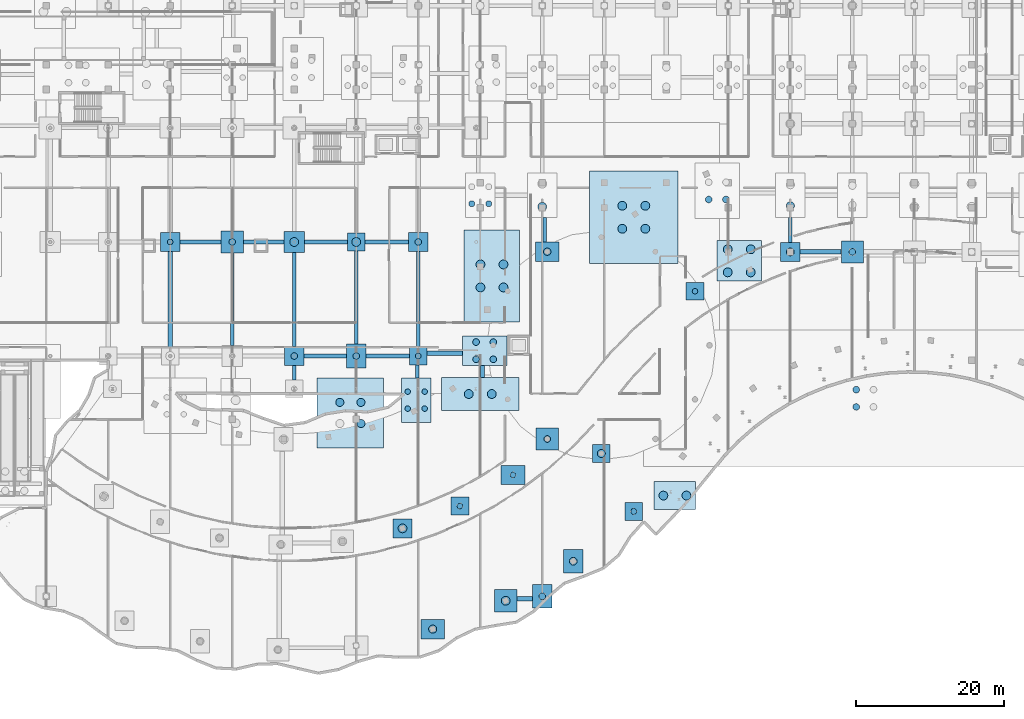
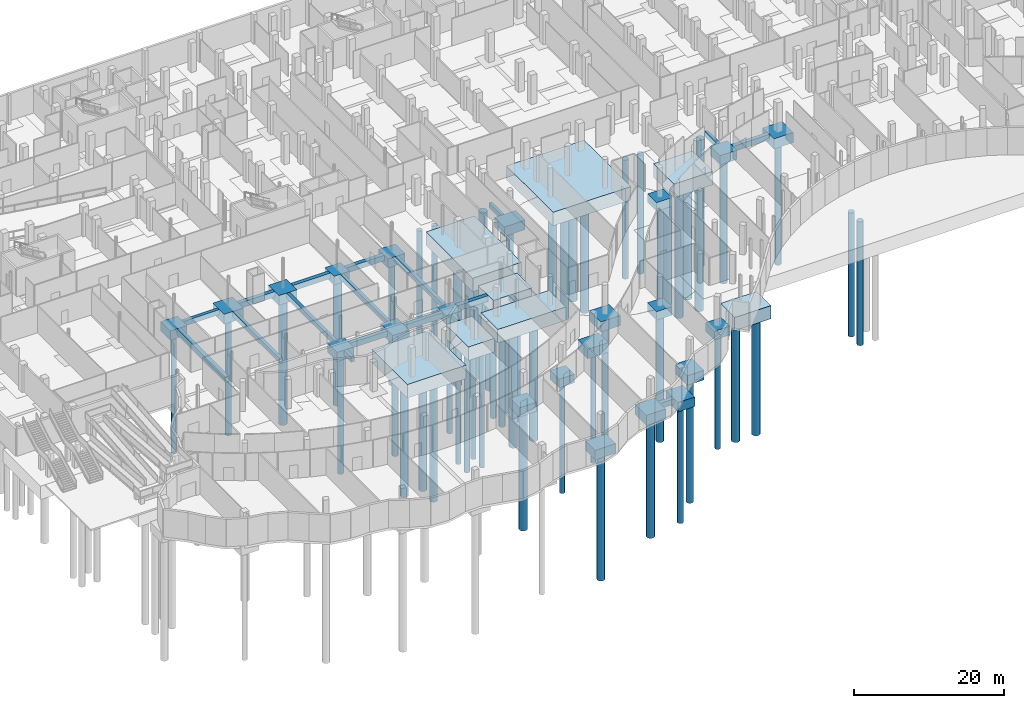
# One storey, part 2 of 45: 57 piles, 49 footings.
"""IFC4 building model written with IfcOpenShell, lengths in metres."""

from ifc_helpers import new_model, si_unit, direction, frame, origin, origin_2d, place, context, subcontext, project, spatial, rectangle, circle, extrude, material, material_profile, profile_set, type_object, element, save


model = new_model("IFC4")

# Units and contexts
model_context = context("Model", 3, precision=1e-05, world=origin(), true_north=direction((0.0, 1.0)))
body_context = subcontext(model_context, "Body", "Model", "MODEL_VIEW")
ifc_project = project(units=[si_unit("LENGTHUNIT", "METRE"), si_unit("AREAUNIT", "SQUARE_METRE"), si_unit("VOLUMEUNIT", "CUBIC_METRE"), si_unit("PLANEANGLEUNIT", "RADIAN"), si_unit("MASSUNIT", "GRAM", prefix="KILO")], contexts=[model_context])

# Site, building, storey
site_placement = place(None, origin())
site = spatial("IfcSite", under=ifc_project, at=site_placement, CompositionType="ELEMENT")
building_placement = place(site_placement, origin())
building = spatial("IfcBuilding", under=site, at=building_placement, Name="Selatvlak General Hospital", CompositionType="ELEMENT")
storey_placement = place(building_placement, frame((0.0, 0.0, -4.800048828125)))
storey = spatial("IfcBuildingStorey", under=building, at=storey_placement, Name="B1", CompositionType="ELEMENT", Elevation=-4.800048828125)

# Footings
ifc_material_1 = material(Name="Concrete C40/50", Category="concrete")
footing_type_1 = type_object("IfcFootingType", Name="FTG-PC-01", PredefinedType="PILE_CAP", material=ifc_material_1)
for number, where, z_axis, x_axis, name in (
    (1, (64.800048828125, 68.0, -1.39990234375), (0.0, 0.0, 1.0), (1.0, 0.0, 0.0), "Pile cap CAP-072"),
    (2, (73.199951171875, 52.550048828125, -1.39990234375), (0.0, 0.0, 1.0), (1.0, 0.0, 0.0), "Pile cap CAP-084"),
    (3, (78.842041015625, 32.22998046875, -1.39990234375), (0.0, 0.0, 1.0), (1.0, 0.0, 0.0), "Pile cap CAP-090"),
    (4, (98.0, 39.35009765625, -1.39990234375), (0.0, 0.0, 1.0), (1.0, 0.0, 0.0), "Pile cap CAP-108"),
    (5, (102.383056640625, 31.4970703125, -1.39990234375), (0.0, 0.0, 1.0), (1.0, 0.0, 0.0), "Pile cap CAP-114"),
    (6, (110.68701171875, 61.324951171875, -1.39990234375), (0.0, 0.0, 1.0), (1.0, 0.0, 0.0), "Pile cap CAP-120"),
):
    element("IfcFooting", number, at=place(storey_placement, frame(where, z_axis=z_axis, x_axis=x_axis)), inside=storey, type_object=footing_type_1, Name=name, PredefinedType="PILE_CAP", context=body_context, shape_type="SweptSolid", body=[
        extrude(rectangle(XDim=2.39990234375, YDim=2.39990234375, at=origin_2d()), origin(), (0.0, 0.0, 1.0), 1.39990234375),
    ])
footing_type_2 = type_object("IfcFootingType", Name="FTG-PC-02", PredefinedType="PILE_CAP", material=ifc_material_1)
for number, where, z_axis, x_axis, name in (
    (7, (39.60009765625, 68.0, -1.5), (0.0, 0.0, 1.0), (1.0, 0.0, 0.0), "Pile cap CAP-043"),
    (8, (56.39990234375, 52.550048828125, -1.5), (0.0, 0.0, 1.0), (1.0, 0.0, 0.0), "Pile cap CAP-061"),
    (9, (71.06689453125, 29.208984375, -1.5), (0.0, 0.0, 1.0), (1.0, 0.0, 0.0), "Pile cap CAP-079"),
    (10, (73.199951171875, 68.0, -1.5), (0.0, 0.0, 1.0), (1.0, 0.0, 0.0), "Pile cap CAP-085"),
    (11, (123.60009765625, 66.64990234375, -1.5), (0.0, 0.0, 1.0), (1.0, 0.0, 0.0), "Pile cap CAP-127"),
):
    element("IfcFooting", number, at=place(storey_placement, frame(where, z_axis=z_axis, x_axis=x_axis)), inside=storey, type_object=footing_type_2, Name=name, PredefinedType="PILE_CAP", context=body_context, shape_type="SweptSolid", body=[
        extrude(rectangle(XDim=2.60009765625, YDim=2.60009765625, at=origin_2d()), origin(), (0.0, 0.0, 1.0), 1.5),
    ])
footing_type_3 = type_object("IfcFootingType", Name="FTG-PC-03", PredefinedType="PILE_CAP", material=ifc_material_1)
footing_1_placement = place(storey_placement, frame((56.39990234375, 68.0, -1.60009765625), z_axis=(0.0, 0.0, 1.0), x_axis=(1.0, 0.0, 0.0)))
element("IfcFooting", 12, at=footing_1_placement, inside=storey, type_object=footing_type_3, Name="Pile cap CAP-062", PredefinedType="PILE_CAP", context=body_context, shape_type="SweptSolid", body=[
    extrude(rectangle(XDim=2.800048828125, YDim=2.800048828125, at=origin_2d()), origin(), (0.0, 0.0, 1.0), 1.60009765625),
])
footing_type_4 = type_object("IfcFootingType", Name="FTG-PC-04", PredefinedType="PILE_CAP", material=ifc_material_1)
for number, where, z_axis, x_axis, name in (
    (13, (48.0, 68.0, -1.64990234375), (0.0, 0.0, 1.0), (1.0, 0.0, 0.0), "Pile cap CAP-051"),
    (14, (85.0439453125, 19.39990234375, -1.64990234375), (0.0, 0.0, 1.0), (1.0, 0.0, 0.0), "Pile cap CAP-099"),
    (15, (90.675048828125, 41.31298828125, -1.64990234375), (0.0, 0.0, 1.0), (1.0, 0.0, 0.0), "Pile cap CAP-105"),
    (16, (132.0, 66.64990234375, -1.64990234375), (0.0, 0.0, 1.0), (1.0, 0.0, 0.0), "Pile cap CAP-135"),
):
    element("IfcFooting", number, at=place(storey_placement, frame(where, z_axis=z_axis, x_axis=x_axis)), inside=storey, type_object=footing_type_4, Name=name, PredefinedType="PILE_CAP", context=body_context, shape_type="SweptSolid", body=[
        extrude(rectangle(XDim=3.0, YDim=3.0, at=origin_2d()), origin(), (0.0, 0.0, 1.0), 1.64990234375),
    ])
footing_type_5 = type_object("IfcFootingType", Name="FTG-PC-05", PredefinedType="PILE_CAP", material=ifc_material_1)
for number, where, z_axis, x_axis, name in (
    (17, (75.155029296875, 15.556884765625, -1.5498046875), (0.0, 0.0, 1.0), (1.0, 0.0, 0.0), "Pile cap CAP-088"),
    (18, (86.041015625, 36.444091796875, -1.5498046875), (0.0, 0.0, 1.0), (1.0, 0.0, 0.0), "Pile cap CAP-100"),
    (19, (90.675048828125, 66.68701171875, -1.5498046875), (0.0, 0.0, 1.0), (1.0, 0.0, 0.0), "Pile cap CAP-106"),
):
    element("IfcFooting", number, at=place(storey_placement, frame(where, z_axis=z_axis, x_axis=x_axis)), inside=storey, type_object=footing_type_5, Name=name, PredefinedType="PILE_CAP", context=body_context, shape_type="SweptSolid", body=[
        extrude(rectangle(XDim=3.199951171875, YDim=2.60009765625, at=origin_2d()), origin(), (0.0, 0.0, 1.0), 1.550048828125),
    ])
footing_type_6 = type_object("IfcFootingType", Name="FTG-PC-06", PredefinedType="PILE_CAP", material=ifc_material_1)
for number, where, z_axis, x_axis, name in (
    (20, (64.800048828125, 52.550048828125, -1.5498046875), (0.0, 0.0, 1.0), (1.0, 0.0, 0.0), "Pile cap CAP-071"),
    (21, (90.0, 20.0, -1.5498046875), (0.0, 0.0, 1.0), (1.0, 0.0, 0.0), "Pile cap CAP-101"),
    (22, (94.195068359375, 24.757080078125, -1.5498046875), (0.0, 0.0, 1.0), (1.0, 0.0, 0.0), "Pile cap CAP-107"),
):
    element("IfcFooting", number, at=place(storey_placement, frame(where, z_axis=z_axis, x_axis=x_axis)), inside=storey, type_object=footing_type_6, Name=name, PredefinedType="PILE_CAP", context=body_context, shape_type="SweptSolid", body=[
        extrude(rectangle(XDim=2.60009765625, YDim=3.199951171875, at=origin_2d()), origin(), (0.0, 0.0, 1.0), 1.550048828125),
    ])
footing_type_7 = type_object("IfcFootingType", Name="FTG-PC-18", PredefinedType="PILE_CAP", material=ifc_material_1)
footing_2_placement = place(storey_placement, frame((107.9619140625, 33.64697265625, -2.14990234375), z_axis=(0.0, 0.0, 1.0), x_axis=(1.0, 0.0, 0.0)))
element("IfcFooting", 23, at=footing_2_placement, inside=storey, type_object=footing_type_7, Name="Pile cap CAP-119", PredefinedType="PILE_CAP", context=body_context, shape_type="SweptSolid", body=[
    extrude(rectangle(XDim=5.60009765625, YDim=3.800048828125, at=origin_2d()), origin(), (0.0, 0.0, 1.0), 2.14990234375),
])
footing_type_8 = type_object("IfcFootingType", Name="FTG-PC-19", PredefinedType="PILE_CAP", material=ifc_material_1)
footing_3_placement = place(storey_placement, frame((82.199951171875, 53.27490234375, -2.19970703125), z_axis=(0.0, 0.0, 1.0), x_axis=(1.0, 0.0, 0.0)))
element("IfcFooting", 24, at=footing_3_placement, inside=storey, type_object=footing_type_8, Name="Pile cap CAP-091", PredefinedType="PILE_CAP", context=body_context, shape_type="SweptSolid", body=[
    extrude(rectangle(XDim=6.0, YDim=4.0, at=origin_2d()), origin(), (0.0, 0.0, 1.0), 2.199951171875),
])
footing_type_9 = type_object("IfcFootingType", Name="FTG-PC-20", PredefinedType="PILE_CAP", material=ifc_material_1)
footing_4_placement = place(storey_placement, frame((72.919921875, 46.580078125, -2.19970703125), z_axis=(0.0, 0.0, 1.0), x_axis=(1.0, 0.0, 0.0)))
element("IfcFooting", 25, at=footing_4_placement, inside=storey, type_object=footing_type_9, Name="Pile cap CAP-083", PredefinedType="PILE_CAP", context=body_context, shape_type="SweptSolid", body=[
    extrude(rectangle(XDim=4.0, YDim=6.0, at=origin_2d()), origin(), (0.0, 0.0, 1.0), 2.199951171875),
])
footing_type_10 = type_object("IfcFootingType", Name="FTG-PC-M109", PredefinedType="PILE_CAP", material=ifc_material_1)
footing_5_placement = place(storey_placement, frame((102.39990234375, 71.343994140625, -2.19970703125), z_axis=(0.0, 0.0, 1.0), x_axis=(1.0, 0.0, 0.0)))
element("IfcFooting", 26, at=footing_5_placement, inside=storey, type_object=footing_type_10, Name="Pile cap CAP-109", PredefinedType="PILE_CAP", context=body_context, shape_type="SweptSolid", body=[
    extrude(rectangle(XDim=12.0, YDim=12.5, at=origin_2d()), origin(), (0.0, 0.0, 1.0), 2.199951171875),
])
footing_type_11 = type_object("IfcFootingType", Name="FTG-PC-M122", PredefinedType="PILE_CAP", material=ifc_material_1)
footing_6_placement = place(storey_placement, frame((116.677001953125, 65.444091796875, -2.19970703125), z_axis=(0.0, 0.0, 1.0), x_axis=(1.0, 0.0, 0.0)))
element("IfcFooting", 27, at=footing_6_placement, inside=storey, type_object=footing_type_11, Name="Pile cap CAP-122", PredefinedType="PILE_CAP", context=body_context, shape_type="SweptSolid", body=[
    extrude(rectangle(XDim=6.0, YDim=5.5, at=origin_2d()), origin(), (0.0, 0.0, 1.0), 2.199951171875),
])
footing_type_12 = type_object("IfcFootingType", Name="FTG-PC-M68", PredefinedType="PILE_CAP", material=ifc_material_1)
footing_7_placement = place(storey_placement, frame((64.007080078125, 44.841064453125, -2.19970703125), z_axis=(0.0, 0.0, 1.0), x_axis=(1.0, 0.0, 0.0)))
element("IfcFooting", 28, at=footing_7_placement, inside=storey, type_object=footing_type_12, Name="Pile cap CAP-068", PredefinedType="PILE_CAP", context=body_context, shape_type="SweptSolid", body=[
    extrude(rectangle(XDim=9.0, YDim=9.5, at=origin_2d()), origin(), (0.0, 0.0, 1.0), 2.199951171875),
])
footing_type_13 = type_object("IfcFootingType", Name="FTG-PC-M89", PredefinedType="PILE_CAP", material=ifc_material_1)
footing_8_placement = place(storey_placement, frame((81.60009765625, 47.403076171875, -2.19970703125), z_axis=(0.0, 0.0, 1.0), x_axis=(1.0, 0.0, 0.0)))
element("IfcFooting", 29, at=footing_8_placement, inside=storey, type_object=footing_type_13, Name="Pile cap CAP-089", PredefinedType="PILE_CAP", context=body_context, shape_type="SweptSolid", body=[
    extrude(rectangle(XDim=10.5, YDim=4.5, at=origin_2d()), origin(), (0.0, 0.0, 1.0), 2.199951171875),
])
footing_type_14 = type_object("IfcFootingType", Name="FTG-PC-M92", PredefinedType="PILE_CAP", material=ifc_material_1)
footing_9_placement = place(storey_placement, frame((83.180908203125, 63.39990234375, -2.19970703125), z_axis=(0.0, 0.0, 1.0), x_axis=(1.0, 0.0, 0.0)))
element("IfcFooting", 30, at=footing_9_placement, inside=storey, type_object=footing_type_14, Name="Pile cap CAP-092", PredefinedType="PILE_CAP", context=body_context, shape_type="SweptSolid", body=[
    extrude(rectangle(XDim=7.5, YDim=12.5, at=origin_2d()), origin(), (0.0, 0.0, 1.0), 2.199951171875),
])
ifc_material_2 = material(Name="Concrete C35/45", Category="concrete")
footing_type_15 = type_object("IfcFootingType", Name="FTG-TB-24", PredefinedType="FOOTING_BEAM", material=ifc_material_2)
footing_10_placement = place(storey_placement, frame((127.699951171875, 66.64990234375, -0.89990234375), z_axis=(0.0, 0.0, 1.0), x_axis=(1.0, 0.0, 0.0)))
element("IfcFooting", 31, at=footing_10_placement, inside=storey, type_object=footing_type_15, Name="Foundation tie beam TBF-129", PredefinedType="FOOTING_BEAM", context=body_context, shape_type="SweptSolid", body=[
    extrude(rectangle(XDim=5.580078125, YDim=0.60009765625, at=origin_2d()), origin(), (0.0, 0.0, 1.0), 0.89990234375),
])
footing_type_16 = type_object("IfcFootingType", Name="FTG-TB-32", PredefinedType="FOOTING_BEAM", material=ifc_material_2)
footing_11_placement = place(storey_placement, frame((39.60009765625, 60.22509765625, -0.89990234375), z_axis=(0.0, 0.0, 1.0), x_axis=(0.0, 1.0, 0.0)))
element("IfcFooting", 32, at=footing_11_placement, inside=storey, type_object=footing_type_16, Name="Foundation tie beam TBF-047", PredefinedType="FOOTING_BEAM", context=body_context, shape_type="SweptSolid", body=[
    extrude(rectangle(XDim=12.929931640625, YDim=0.60009765625, at=origin_2d()), origin(), (0.0, 0.0, 1.0), 0.89990234375),
])
footing_type_17 = type_object("IfcFootingType", Name="FTG-TB-34", PredefinedType="FOOTING_BEAM", material=ifc_material_2)
footing_12_placement = place(storey_placement, frame((43.699951171875, 68.0, -0.7998046875), z_axis=(0.0, 0.0, 1.0), x_axis=(1.0, 0.0, 0.0)))
element("IfcFooting", 33, at=footing_12_placement, inside=storey, type_object=footing_type_17, Name="Foundation tie beam TBF-048", PredefinedType="FOOTING_BEAM", context=body_context, shape_type="SweptSolid", body=[
    extrude(rectangle(XDim=5.580078125, YDim=0.5, at=origin_2d()), origin(), (0.0, 0.0, 1.0), 0.800048828125),
])
footing_type_18 = type_object("IfcFootingType", Name="FTG-TB-44", PredefinedType="FOOTING_BEAM", material=ifc_material_2)
footing_13_placement = place(storey_placement, frame((48.0, 60.22509765625, -0.7998046875), z_axis=(0.0, 0.0, 1.0), x_axis=(0.0, 1.0, 0.0)))
element("IfcFooting", 34, at=footing_13_placement, inside=storey, type_object=footing_type_18, Name="Foundation tie beam TBF-054", PredefinedType="FOOTING_BEAM", context=body_context, shape_type="SweptSolid", body=[
    extrude(rectangle(XDim=12.530029296875, YDim=0.5, at=origin_2d()), origin(), (0.0, 0.0, 1.0), 0.800048828125),
])
footing_type_19 = type_object("IfcFootingType", Name="FTG-TB-45", PredefinedType="FOOTING_BEAM", material=ifc_material_2)
footing_14_placement = place(storey_placement, frame((52.25, 68.0, -0.89990234375), z_axis=(0.0, 0.0, 1.0), x_axis=(1.0, 0.0, 0.0)))
element("IfcFooting", 35, at=footing_14_placement, inside=storey, type_object=footing_type_19, Name="Foundation tie beam TBF-055", PredefinedType="FOOTING_BEAM", context=body_context, shape_type="SweptSolid", body=[
    extrude(rectangle(XDim=5.47998046875, YDim=0.60009765625, at=origin_2d()), origin(), (0.0, 0.0, 1.0), 0.89990234375),
])
footing_type_20 = type_object("IfcFootingType", Name="FTG-TB-46", PredefinedType="FOOTING_BEAM", material=ifc_material_2)
footing_15_placement = place(storey_placement, frame((64.800048828125, 60.47509765625, -0.7998046875), z_axis=(0.0, 0.0, 1.0), x_axis=(0.0, 1.0, 0.0)))
element("IfcFooting", 36, at=footing_15_placement, inside=storey, type_object=footing_type_20, Name="Foundation tie beam TBF-080", PredefinedType="FOOTING_BEAM", context=body_context, shape_type="SweptSolid", body=[
    extrude(rectangle(XDim=12.6298828125, YDim=0.5, at=origin_2d()), origin(), (0.0, 0.0, 1.0), 0.800048828125),
])
footing_type_21 = type_object("IfcFootingType", Name="FTG-TB-51", PredefinedType="FOOTING_BEAM", material=ifc_material_2)
for number, where, z_axis, x_axis, name in (
    (37, (69.050048828125, 52.550048828125, -0.89990234375), (0.0, 0.0, 1.0), (1.0, 0.0, 0.0), "Foundation tie beam TBF-079"),
    (38, (68.949951171875, 68.0, -0.89990234375), (0.0, 0.0, 1.0), (1.0, 0.0, 0.0), "Foundation tie beam TBF-081"),
):
    element("IfcFooting", number, at=place(storey_placement, frame(where, z_axis=z_axis, x_axis=x_axis)), inside=storey, type_object=footing_type_21, Name=name, PredefinedType="FOOTING_BEAM", context=body_context, shape_type="SweptSolid", body=[
        extrude(rectangle(XDim=5.8798828125, YDim=0.60009765625, at=origin_2d()), origin(), (0.0, 0.0, 1.0), 0.89990234375),
    ])
footing_type_22 = type_object("IfcFootingType", Name="FTG-TB-59", PredefinedType="FOOTING_BEAM", material=ifc_material_2)
footing_16_placement = place(storey_placement, frame((56.39990234375, 50.27490234375, -0.7998046875), z_axis=(0.0, 0.0, 1.0), x_axis=(0.0, 1.0, 0.0)))
element("IfcFooting", 39, at=footing_16_placement, inside=storey, type_object=footing_type_22, Name="Foundation tie beam TBF-070", PredefinedType="FOOTING_BEAM", context=body_context, shape_type="SweptSolid", body=[
    extrude(rectangle(XDim=1.929931640625, YDim=0.5, at=origin_2d()), origin(), (0.0, 0.0, 1.0), 0.800048828125),
])
footing_type_23 = type_object("IfcFootingType", Name="FTG-TB-60", PredefinedType="FOOTING_BEAM", material=ifc_material_2)
for number, where, z_axis, x_axis, name in (
    (40, (60.60009765625, 52.550048828125, -0.89990234375), (0.0, 0.0, 1.0), (1.0, 0.0, 0.0), "Foundation tie beam TBF-071"),
    (41, (60.699951171875, 68.0, -0.89990234375), (0.0, 0.0, 1.0), (1.0, 0.0, 0.0), "Foundation tie beam TBF-073"),
):
    element("IfcFooting", number, at=place(storey_placement, frame(where, z_axis=z_axis, x_axis=x_axis)), inside=storey, type_object=footing_type_23, Name=name, PredefinedType="FOOTING_BEAM", context=body_context, shape_type="SweptSolid", body=[
        extrude(rectangle(XDim=5.780029296875, YDim=0.60009765625, at=origin_2d()), origin(), (0.0, 0.0, 1.0), 0.89990234375),
    ])
footing_type_24 = type_object("IfcFootingType", Name="FTG-TB-61", PredefinedType="FOOTING_BEAM", material=ifc_material_2)
footing_17_placement = place(storey_placement, frame((56.39990234375, 60.22509765625, -0.7998046875), z_axis=(0.0, 0.0, 1.0), x_axis=(0.0, 1.0, 0.0)))
element("IfcFooting", 42, at=footing_17_placement, inside=storey, type_object=footing_type_24, Name="Foundation tie beam TBF-072", PredefinedType="FOOTING_BEAM", context=body_context, shape_type="SweptSolid", body=[
    extrude(rectangle(XDim=12.72998046875, YDim=0.5, at=origin_2d()), origin(), (0.0, 0.0, 1.0), 0.800048828125),
])
footing_type_25 = type_object("IfcFootingType", Name="FTG-TB-64", PredefinedType="FOOTING_BEAM", material=ifc_material_2)
footing_18_placement = place(storey_placement, frame((73.199951171875, 60.22509765625, -0.7998046875), z_axis=(0.0, 0.0, 1.0), x_axis=(0.0, 1.0, 0.0)))
element("IfcFooting", 43, at=footing_18_placement, inside=storey, type_object=footing_type_25, Name="Foundation tie beam TBF-096", PredefinedType="FOOTING_BEAM", context=body_context, shape_type="SweptSolid", body=[
    extrude(rectangle(XDim=12.929931640625, YDim=0.5, at=origin_2d()), origin(), (0.0, 0.0, 1.0), 0.800048828125),
])
footing_type_26 = type_object("IfcFootingType", Name="FTG-TB-72", PredefinedType="FOOTING_BEAM", material=ifc_material_2)
footing_19_placement = place(storey_placement, frame((73.06005859375, 50.465087890625, -0.7998046875), z_axis=(0.0, 0.0, 1.0), x_axis=(0.0, 1.0, 0.0)))
element("IfcFooting", 44, at=footing_19_placement, inside=storey, type_object=footing_type_26, Name="Foundation tie beam TBF-094", PredefinedType="FOOTING_BEAM", context=body_context, shape_type="SweptSolid", body=[
    extrude(rectangle(XDim=1.75, YDim=0.5, at=origin_2d()), origin(), (0.0, 0.0, 1.0), 0.800048828125),
])
footing_type_27 = type_object("IfcFootingType", Name="FTG-TB-73", PredefinedType="FOOTING_BEAM", material=ifc_material_2)
footing_20_placement = place(storey_placement, frame((76.800048828125, 52.912109375, -0.89990234375), z_axis=(0.0, 0.0, 1.0), x_axis=(1.0, 0.0, 0.0)))
element("IfcFooting", 45, at=footing_20_placement, inside=storey, type_object=footing_type_27, Name="Foundation tie beam TBF-095", PredefinedType="FOOTING_BEAM", context=body_context, shape_type="SweptSolid", body=[
    extrude(rectangle(XDim=4.780029296875, YDim=0.60009765625, at=origin_2d()), origin(), (0.0, 0.0, 1.0), 0.89990234375),
])
footing_type_28 = type_object("IfcFootingType", Name="FTG-TB-74", PredefinedType="FOOTING_BEAM", material=ifc_material_2)
footing_21_placement = place(storey_placement, frame((81.89990234375, 50.464111328125, -0.7998046875), z_axis=(0.0, 0.0, 1.0), x_axis=(0.0, 1.0, 0.0)))
element("IfcFooting", 46, at=footing_21_placement, inside=storey, type_object=footing_type_28, Name="Foundation tie beam TBF-100", PredefinedType="FOOTING_BEAM", context=body_context, shape_type="SweptSolid", body=[
    extrude(rectangle(XDim=1.60205078125, YDim=0.5, at=origin_2d()), origin(), (0.0, 0.0, 1.0), 0.800048828125),
])
footing_type_29 = type_object("IfcFootingType", Name="FTG-TB-77", PredefinedType="FOOTING_BEAM", material=ifc_material_2)
footing_22_placement = place(storey_placement, frame((87.6220703125, 19.699951171875, -0.89990234375), z_axis=(0.0, 0.0, 1.0), x_axis=(1.0, 0.0, 0.0)))
element("IfcFooting", 47, at=footing_22_placement, inside=storey, type_object=footing_type_29, Name="Foundation tie beam TBF-107", PredefinedType="FOOTING_BEAM", context=body_context, shape_type="SweptSolid", body=[
    extrude(rectangle(XDim=2.135986328125, YDim=0.60009765625, at=origin_2d()), origin(), (0.0, 0.0, 1.0), 0.89990234375),
])
footing_type_30 = type_object("IfcFootingType", Name="FTG-TB-80", PredefinedType="FOOTING_BEAM", material=ifc_material_2)
footing_23_placement = place(storey_placement, frame((90.337890625, 69.656005859375, -0.7998046875), z_axis=(0.0, 0.0, 1.0), x_axis=(0.0, 1.0, 0.0)))
element("IfcFooting", 48, at=footing_23_placement, inside=storey, type_object=footing_type_30, Name="Foundation tie beam TBF-112", PredefinedType="FOOTING_BEAM", context=body_context, shape_type="SweptSolid", body=[
    extrude(rectangle(XDim=3.318115234375, YDim=0.5, at=origin_2d()), origin(), (0.0, 0.0, 1.0), 0.800048828125),
])
footing_type_31 = type_object("IfcFootingType", Name="FTG-TB-87", PredefinedType="FOOTING_BEAM", material=ifc_material_2)
footing_24_placement = place(storey_placement, frame((123.60009765625, 69.637939453125, -0.7998046875), z_axis=(0.0, 0.0, 1.0), x_axis=(0.0, 1.0, 0.0)))
element("IfcFooting", 49, at=footing_24_placement, inside=storey, type_object=footing_type_31, Name="Foundation tie beam TBF-130", PredefinedType="FOOTING_BEAM", context=body_context, shape_type="SweptSolid", body=[
    extrude(rectangle(XDim=3.35498046875, YDim=0.5, at=origin_2d()), origin(), (0.0, 0.0, 1.0), 0.800048828125),
])

# Piles
ifc_material_profile_1 = material_profile(ifc_material_1, circle(Radius=0.375, at=origin_2d()), Name="BORED PILE 750")
ifc_profile_set_1 = profile_set([ifc_material_profile_1], Name="Concrete C40/50")
pile_type_1 = type_object("IfcPileType", Name="PILE-BP-01", PredefinedType="BORED", material=ifc_profile_set_1)
for number, where, z_axis, x_axis, name in (
    (50, (78.842041015625, 32.22998046875, -1.300048828125), (0.0, 0.0, -1.0), (1.0, 0.0, 0.0), "Bored pile PLF-0164"),
    (51, (86.041015625, 36.444091796875, -1.449951171875), (0.0, 0.0, -1.0), (1.0, 0.0, 0.0), "Bored pile PLF-0192"),
    (52, (110.68701171875, 61.324951171875, -1.300048828125), (0.0, 0.0, -1.0), (1.0, 0.0, 0.0), "Bored pile PLF-0229"),
):
    element("IfcPile", number, at=place(storey_placement, frame(where, z_axis=z_axis, x_axis=x_axis)), inside=storey, type_object=pile_type_1, Name=name, PredefinedType="BORED", context=body_context, shape_type="SweptSolid", body=[
        extrude(circle(Radius=0.375, at=origin_2d()), origin(), (0.0, 0.0, 1.0), 18.199951171875),
    ])
ifc_material_profile_2 = material_profile(ifc_material_1, circle(Radius=0.449951171875, at=origin_2d()), Name="BORED PILE 900")
ifc_profile_set_2 = profile_set([ifc_material_profile_2], Name="Concrete C40/50")
pile_type_2 = type_object("IfcPileType", Name="PILE-BP-02", PredefinedType="BORED", material=ifc_profile_set_2)
for number, where, z_axis, x_axis, name in (
    (53, (48.0, 68.0, -1.550048828125), (0.0, 0.0, -1.0), (1.0, 0.0, 0.0), "Bored pile PLF-0095"),
    (54, (56.39990234375, 52.550048828125, -1.39990234375), (0.0, 0.0, -1.0), (1.0, 0.0, 0.0), "Bored pile PLF-0109"),
    (55, (64.800048828125, 52.550048828125, -1.449951171875), (0.0, 0.0, -1.0), (1.0, 0.0, 0.0), "Bored pile PLF-0129"),
    (56, (81.030029296875, 52.10498046875, -2.099853515625), (0.0, 0.0, -1.0), (1.0, 0.0, 0.0), "Bored pile PLF-0165"),
    (57, (81.030029296875, 54.445068359375, -2.099853515625), (0.0, 0.0, -1.0), (1.0, 0.0, 0.0), "Bored pile PLF-0166"),
    (58, (83.3701171875, 52.10498046875, -2.099853515625), (0.0, 0.0, -1.0), (1.0, 0.0, 0.0), "Bored pile PLF-0167"),
    (59, (83.3701171875, 54.445068359375, -2.099853515625), (0.0, 0.0, -1.0), (1.0, 0.0, 0.0), "Bored pile PLF-0168"),
    (60, (90.0, 20.0, -1.449951171875), (0.0, 0.0, -1.0), (1.0, 0.0, 0.0), "Bored pile PLF-0193"),
    (61, (112.541015625, 73.751953125, -2.099853515625), (0.0, 0.0, -1.0), (1.0, 0.0, 0.0), "Bored pile PLF-0230"),
    (62, (114.881103515625, 73.751953125, -2.099853515625), (0.0, 0.0, -1.0), (1.0, 0.0, 0.0), "Bored pile PLF-0232"),
):
    element("IfcPile", number, at=place(storey_placement, frame(where, z_axis=z_axis, x_axis=x_axis)), inside=storey, type_object=pile_type_2, Name=name, PredefinedType="BORED", context=body_context, shape_type="SweptSolid", body=[
        extrude(circle(Radius=0.449951171875, at=origin_2d()), origin(), (0.0, 0.0, 1.0), 19.39990234375),
    ])
ifc_material_profile_3 = material_profile(ifc_material_1, circle(Radius=0.60009765625, at=origin_2d()), Name="BORED PILE 1200")
ifc_profile_set_3 = profile_set([ifc_material_profile_3], Name="Concrete C40/50")
pile_type_3 = type_object("IfcPileType", Name="PILE-BP-03", PredefinedType="BORED", material=ifc_profile_set_3)
for number, where, z_axis, x_axis, name in (
    (63, (56.39990234375, 68.0, -1.5), (0.0, 0.0, -1.0), (1.0, 0.0, 0.0), "Bored pile PLF-0110"),
    (64, (64.800048828125, 68.0, -1.300048828125), (0.0, 0.0, -1.0), (1.0, 0.0, 0.0), "Bored pile PLF-0130"),
    (65, (81.62109375, 61.840087890625, -2.099853515625), (0.0, 0.0, -1.0), (1.0, 0.0, 0.0), "Bored pile PLF-0169"),
    (66, (81.62109375, 64.9599609375, -2.099853515625), (0.0, 0.0, -1.0), (1.0, 0.0, 0.0), "Bored pile PLF-0170"),
    (67, (84.740966796875, 61.840087890625, -2.099853515625), (0.0, 0.0, -1.0), (1.0, 0.0, 0.0), "Bored pile PLF-0171"),
    (68, (84.740966796875, 64.9599609375, -2.099853515625), (0.0, 0.0, -1.0), (1.0, 0.0, 0.0), "Bored pile PLF-0172"),
    (69, (90.0, 72.764892578125, -2.099853515625), (0.0, 0.0, -1.0), (1.0, 0.0, 0.0), "Bored pile PLF-0194"),
    (70, (115.116943359375, 63.884033203125, -2.099853515625), (0.0, 0.0, -1.0), (1.0, 0.0, 0.0), "Bored pile PLF-0234"),
    (71, (115.116943359375, 67.00390625, -2.099853515625), (0.0, 0.0, -1.0), (1.0, 0.0, 0.0), "Bored pile PLF-0235"),
    (72, (118.237060546875, 63.884033203125, -2.099853515625), (0.0, 0.0, -1.0), (1.0, 0.0, 0.0), "Bored pile PLF-0236"),
    (73, (118.237060546875, 67.00390625, -2.099853515625), (0.0, 0.0, -1.0), (1.0, 0.0, 0.0), "Bored pile PLF-0237"),
):
    element("IfcPile", number, at=place(storey_placement, frame(where, z_axis=z_axis, x_axis=x_axis)), inside=storey, type_object=pile_type_3, Name=name, PredefinedType="BORED", context=body_context, shape_type="SweptSolid", body=[
        extrude(circle(Radius=0.60009765625, at=origin_2d()), origin(), (0.0, 0.0, 1.0), 20.60009765625),
    ])
ifc_material_profile_4 = material_profile(ifc_material_1, circle(Radius=0.375, at=origin_2d()), Name="BORED PILE 750")
ifc_profile_set_4 = profile_set([ifc_material_profile_4], Name="Concrete C40/50")
pile_type_4 = type_object("IfcPileType", Name="PILE-BP-04", PredefinedType="BORED", material=ifc_profile_set_4)
for number, where, z_axis, x_axis, name in (
    (74, (39.60009765625, 68.0, -1.39990234375), (0.0, 0.0, -1.0), (1.0, 0.0, 0.0), "Bored pile PLF-0086"),
    (75, (71.77001953125, 45.429931640625, -2.099853515625), (0.0, 0.0, -1.0), (1.0, 0.0, 0.0), "Bored pile PLF-0153"),
    (76, (71.77001953125, 47.72998046875, -2.099853515625), (0.0, 0.0, -1.0), (1.0, 0.0, 0.0), "Bored pile PLF-0154"),
    (77, (74.070068359375, 45.429931640625, -2.099853515625), (0.0, 0.0, -1.0), (1.0, 0.0, 0.0), "Bored pile PLF-0155"),
    (78, (74.070068359375, 47.72998046875, -2.099853515625), (0.0, 0.0, -1.0), (1.0, 0.0, 0.0), "Bored pile PLF-0156"),
):
    element("IfcPile", number, at=place(storey_placement, frame(where, z_axis=z_axis, x_axis=x_axis)), inside=storey, type_object=pile_type_4, Name=name, PredefinedType="BORED", context=body_context, shape_type="SweptSolid", body=[
        extrude(circle(Radius=0.375, at=origin_2d()), origin(), (0.0, 0.0, 1.0), 19.60009765625),
    ])
ifc_material_profile_5 = material_profile(ifc_material_1, circle(Radius=0.39990234375, at=origin_2d()), Name="BORED PILE 800")
ifc_profile_set_5 = profile_set([ifc_material_profile_5], Name="Concrete C40/50")
pile_type_5 = type_object("IfcPileType", Name="PILE-BP-05", PredefinedType="BORED", material=ifc_profile_set_5)
for number, where, z_axis, x_axis, name in (
    (79, (73.199951171875, 52.550048828125, -1.300048828125), (0.0, 0.0, -1.0), (1.0, 0.0, 0.0), "Bored pile PLF-0157"),
    (80, (80.449951171875, 73.175048828125, -2.099853515625), (0.0, 0.0, -1.0), (1.0, 0.0, 0.0), "Bored pile PLF-0174"),
    (81, (82.75, 73.175048828125, -2.099853515625), (0.0, 0.0, -1.0), (1.0, 0.0, 0.0), "Bored pile PLF-0176"),
    (82, (102.383056640625, 31.4970703125, -1.300048828125), (0.0, 0.0, -1.0), (1.0, 0.0, 0.0), "Bored pile PLF-0217"),
):
    element("IfcPile", number, at=place(storey_placement, frame(where, z_axis=z_axis, x_axis=x_axis)), inside=storey, type_object=pile_type_5, Name=name, PredefinedType="BORED", context=body_context, shape_type="SweptSolid", body=[
        extrude(circle(Radius=0.39990234375, at=origin_2d()), origin(), (0.0, 0.0, 1.0), 18.800048828125),
    ])
ifc_material_profile_6 = material_profile(ifc_material_1, circle(Radius=0.449951171875, at=origin_2d()), Name="BORED PILE 900")
ifc_profile_set_6 = profile_set([ifc_material_profile_6], Name="Concrete C40/50")
pile_type_6 = type_object("IfcPileType", Name="PILE-BP-06", PredefinedType="BORED", material=ifc_profile_set_6)
for number, where, z_axis, x_axis, name in (
    (83, (73.199951171875, 68.0, -1.39990234375), (0.0, 0.0, -1.0), (1.0, 0.0, 0.0), "Bored pile PLF-0158"),
    (84, (90.675048828125, 41.31298828125, -1.550048828125), (0.0, 0.0, -1.0), (1.0, 0.0, 0.0), "Bored pile PLF-0201"),
    (85, (132.52197265625, 45.656005859375, -2.099853515625), (0.0, 0.0, -1.0), (1.0, 0.0, 0.0), "Bored pile PLF-0218"),
    (86, (132.52197265625, 47.99609375, -2.099853515625), (0.0, 0.0, -1.0), (1.0, 0.0, 0.0), "Bored pile PLF-0219"),
    (87, (132.0, 66.64990234375, -1.550048828125), (0.0, 0.0, -1.0), (1.0, 0.0, 0.0), "Bored pile PLF-0257"),
):
    element("IfcPile", number, at=place(storey_placement, frame(where, z_axis=z_axis, x_axis=x_axis)), inside=storey, type_object=pile_type_6, Name=name, PredefinedType="BORED", context=body_context, shape_type="SweptSolid", body=[
        extrude(circle(Radius=0.449951171875, at=origin_2d()), origin(), (0.0, 0.0, 1.0), 20.199951171875),
    ])
ifc_material_profile_7 = material_profile(ifc_material_1, circle(Radius=0.5, at=origin_2d()), Name="BORED PILE 1000")
ifc_profile_set_7 = profile_set([ifc_material_profile_7], Name="Concrete C40/50")
pile_type_7 = type_object("IfcPileType", Name="PILE-BP-07", PredefinedType="BORED", material=ifc_profile_set_7)
pile_placement = place(storey_placement, frame((90.675048828125, 66.68701171875, -1.449951171875), z_axis=(0.0, 0.0, -1.0), x_axis=(1.0, 0.0, 0.0)))
element("IfcPile", 88, at=pile_placement, inside=storey, type_object=pile_type_7, Name="Bored pile PLF-0202", PredefinedType="BORED", context=body_context, shape_type="SweptSolid", body=[
    extrude(circle(Radius=0.5, at=origin_2d()), origin(), (0.0, 0.0, 1.0), 19.800048828125),
])
ifc_material_profile_8 = material_profile(ifc_material_1, circle(Radius=0.52490234375, at=origin_2d()), Name="BORED PILE 1050")
ifc_profile_set_8 = profile_set([ifc_material_profile_8], Name="Concrete C40/50")
pile_type_8 = type_object("IfcPileType", Name="PILE-BP-08", PredefinedType="BORED", material=ifc_profile_set_8)
for number, where, z_axis, x_axis, name in (
    (89, (94.195068359375, 24.757080078125, -1.449951171875), (0.0, 0.0, -1.0), (1.0, 0.0, 0.0), "Bored pile PLF-0203"),
    (90, (123.60009765625, 66.64990234375, -1.39990234375), (0.0, 0.0, -1.0), (1.0, 0.0, 0.0), "Bored pile PLF-0245"),
):
    element("IfcPile", number, at=place(storey_placement, frame(where, z_axis=z_axis, x_axis=x_axis)), inside=storey, type_object=pile_type_8, Name=name, PredefinedType="BORED", context=body_context, shape_type="SweptSolid", body=[
        extrude(circle(Radius=0.52490234375, at=origin_2d()), origin(), (0.0, 0.0, 1.0), 20.39990234375),
    ])
ifc_material_profile_9 = material_profile(ifc_material_1, circle(Radius=0.550048828125, at=origin_2d()), Name="BORED PILE 1100")
ifc_profile_set_9 = profile_set([ifc_material_profile_9], Name="Concrete C40/50")
pile_type_9 = type_object("IfcPileType", Name="PILE-BP-09", PredefinedType="BORED", material=ifc_profile_set_9)
for number, where, z_axis, x_axis, name in (
    (91, (62.576904296875, 46.27099609375, -2.099853515625), (0.0, 0.0, -1.0), (1.0, 0.0, 0.0), "Bored pile PLF-0124"),
    (92, (65.43701171875, 43.410888671875, -2.099853515625), (0.0, 0.0, -1.0), (1.0, 0.0, 0.0), "Bored pile PLF-0125"),
    (93, (65.43701171875, 46.27099609375, -2.099853515625), (0.0, 0.0, -1.0), (1.0, 0.0, 0.0), "Bored pile PLF-0126"),
    (94, (75.155029296875, 15.556884765625, -1.449951171875), (0.0, 0.0, -1.0), (1.0, 0.0, 0.0), "Bored pile PLF-0161"),
    (95, (98.0, 39.35009765625, -1.300048828125), (0.0, 0.0, -1.0), (1.0, 0.0, 0.0), "Bored pile PLF-0204"),
    (96, (123.60009765625, 72.89501953125, -2.099853515625), (0.0, 0.0, -1.0), (1.0, 0.0, 0.0), "Bored pile PLF-0246"),
):
    element("IfcPile", number, at=place(storey_placement, frame(where, z_axis=z_axis, x_axis=x_axis)), inside=storey, type_object=pile_type_9, Name=name, PredefinedType="BORED", context=body_context, shape_type="SweptSolid", body=[
        extrude(circle(Radius=0.550048828125, at=origin_2d()), origin(), (0.0, 0.0, 1.0), 20.800048828125),
    ])
ifc_material_profile_10 = material_profile(ifc_material_1, circle(Radius=0.60009765625, at=origin_2d()), Name="BORED PILE 1200")
ifc_profile_set_10 = profile_set([ifc_material_profile_10], Name="Concrete C40/50")
pile_type_10 = type_object("IfcPileType", Name="PILE-BP-10", PredefinedType="BORED", material=ifc_profile_set_10)
for number, where, z_axis, x_axis, name in (
    (97, (71.06689453125, 29.208984375, -1.39990234375), (0.0, 0.0, -1.0), (1.0, 0.0, 0.0), "Bored pile PLF-0140"),
    (98, (80.0400390625, 47.403076171875, -2.099853515625), (0.0, 0.0, -1.0), (1.0, 0.0, 0.0), "Bored pile PLF-0162"),
    (99, (83.159912109375, 47.403076171875, -2.099853515625), (0.0, 0.0, -1.0), (1.0, 0.0, 0.0), "Bored pile PLF-0163"),
    (100, (85.0439453125, 19.39990234375, -1.550048828125), (0.0, 0.0, -1.0), (1.0, 0.0, 0.0), "Bored pile PLF-0191"),
    (101, (100.840087890625, 69.783935546875, -2.099853515625), (0.0, 0.0, -1.0), (1.0, 0.0, 0.0), "Bored pile PLF-0205"),
    (102, (100.840087890625, 72.904052734375, -2.099853515625), (0.0, 0.0, -1.0), (1.0, 0.0, 0.0), "Bored pile PLF-0206"),
    (103, (103.9599609375, 69.783935546875, -2.099853515625), (0.0, 0.0, -1.0), (1.0, 0.0, 0.0), "Bored pile PLF-0207"),
    (104, (103.9599609375, 72.904052734375, -2.099853515625), (0.0, 0.0, -1.0), (1.0, 0.0, 0.0), "Bored pile PLF-0208"),
    (105, (106.402099609375, 33.64697265625, -2.050048828125), (0.0, 0.0, -1.0), (1.0, 0.0, 0.0), "Bored pile PLF-0227"),
    (106, (109.52197265625, 33.64697265625, -2.050048828125), (0.0, 0.0, -1.0), (1.0, 0.0, 0.0), "Bored pile PLF-0228"),
):
    element("IfcPile", number, at=place(storey_placement, frame(where, z_axis=z_axis, x_axis=x_axis)), inside=storey, type_object=pile_type_10, Name=name, PredefinedType="BORED", context=body_context, shape_type="SweptSolid", body=[
        extrude(circle(Radius=0.60009765625, at=origin_2d()), origin(), (0.0, 0.0, 1.0), 19.5),
    ])

save(model, "model.ifc")
